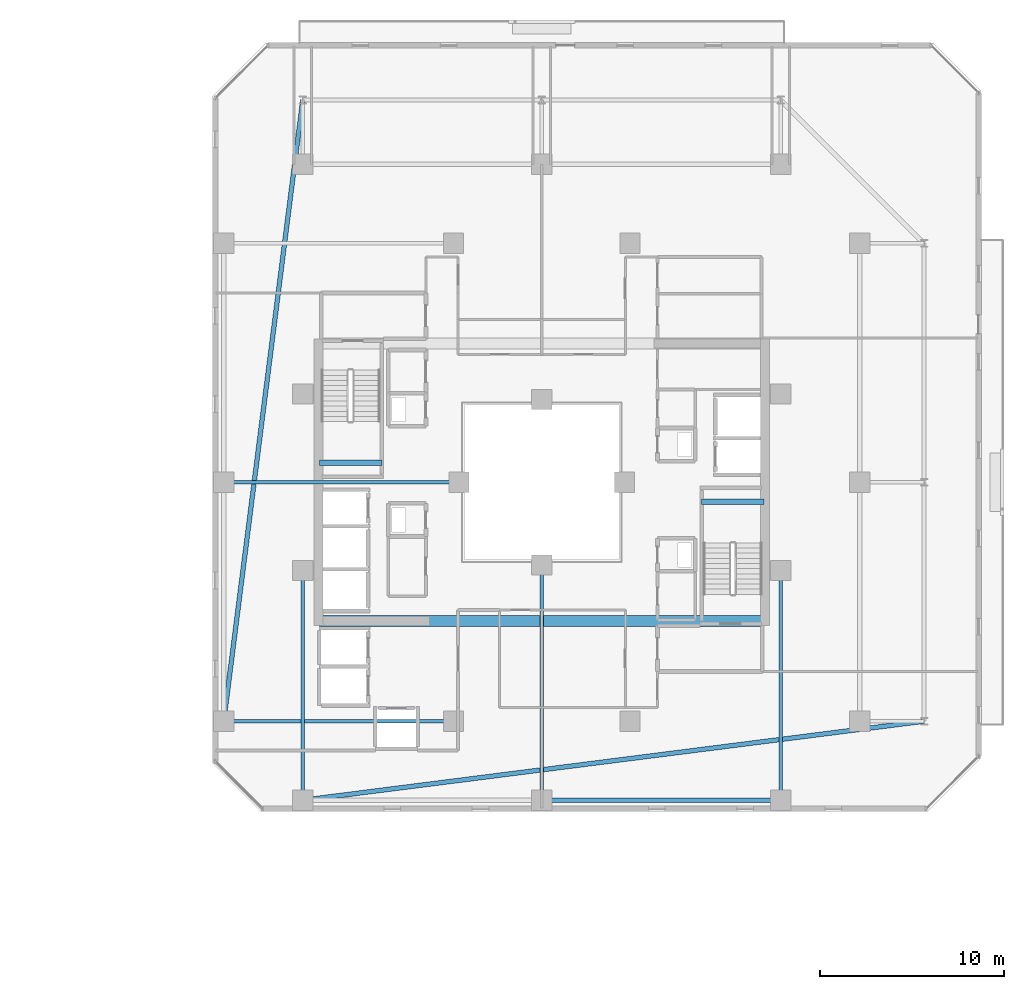
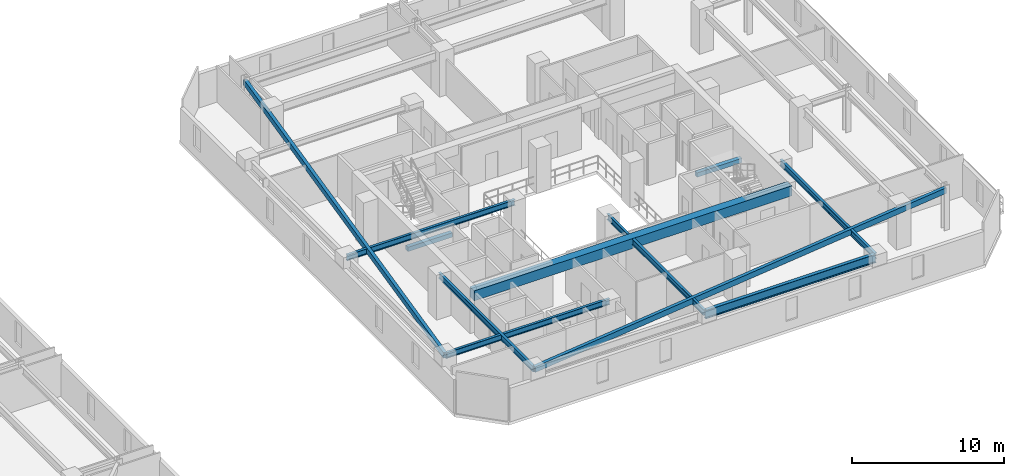
# One storey, part 13 of 33: 11 beams.
"""IFC4 building model written with IfcOpenShell, lengths in metres."""

from ifc_helpers import new_model, si_unit, direction, frame, origin, origin_2d, place, context, subcontext, project, spatial, rectangle, hollow_rectangle, i_section, extrude, material, material_profile, profile_set, type_object, element, save


model = new_model("IFC4")

# Units and contexts
model_context = context("Model", 3, precision=1e-05, world=origin(), true_north=direction((0.0, 1.0)))
body_context = subcontext(model_context, "Body", "Model", "MODEL_VIEW")
ifc_project = project(units=[si_unit("LENGTHUNIT", "METRE"), si_unit("AREAUNIT", "SQUARE_METRE"), si_unit("VOLUMEUNIT", "CUBIC_METRE"), si_unit("PLANEANGLEUNIT", "RADIAN"), si_unit("MASSUNIT", "GRAM", prefix="KILO")], contexts=[model_context])

# Site, building, storey
site_placement = place(None, origin())
site = spatial("IfcSite", under=ifc_project, at=site_placement, CompositionType="ELEMENT")
building_placement = place(site_placement, origin())
building = spatial("IfcBuilding", under=site, at=building_placement, Name="Thornwick Lancets Civic Towers", CompositionType="ELEMENT")
storey_placement = place(building_placement, frame((0.0, 0.0, 167.10009765625)))
storey = spatial("IfcBuildingStorey", under=building, at=storey_placement, Name="L44", CompositionType="ELEMENT", Elevation=167.10009765625)

# Beams
ifc_material_1 = material(Name="Concrete C60/75", Category="concrete")
ifc_material_profile_1 = material_profile(ifc_material_1, rectangle(XDim=0.60009765625, YDim=0.800048828125, at=origin_2d()), Name="RC 600x800")
ifc_profile_set_1 = profile_set([ifc_material_profile_1], Name="Concrete C60/75")
beam_type_1 = type_object("IfcBeamType", Name="BM_COUP_RC800", PredefinedType="BEAM", material=ifc_profile_set_1)
beam_1_placement = place(storey_placement, frame((76.39990234375, 19.449951171875, 2.9599609375), z_axis=(1.0, 0.0, 0.0), x_axis=(0.0, 1.0, 0.0)))
element("IfcBeam", 1, at=beam_1_placement, inside=storey, type_object=beam_type_1, Name="CB-L44-B2", PredefinedType="BEAM", context=body_context, shape_type="SweptSolid", body=[
    extrude(rectangle(XDim=0.60009765625, YDim=0.800048828125, at=origin_2d()), origin(), (0.0, 0.0, 1.0), 24.2001953125),
])
ifc_material_2 = material(Name="Steel S355JR", Category="steel")
ifc_material_profile_2 = material_profile(ifc_material_2, i_section(OverallWidth=0.255859375, OverallDepth=0.69287109375, WebThickness=0.014404296875, FlangeThickness=0.023681640625, FilletRadius=0.01513671875, at=origin_2d()), Name="UKB 686x254x170")
ifc_profile_set_2 = profile_set([ifc_material_profile_2], Name="Steel S355JR")
beam_type_2 = type_object("IfcBeamType", Name="BM_GIRD_686_170", PredefinedType="BEAM", material=ifc_profile_set_2)
beam_2_placement = place(storey_placement, frame((101.5, 9.699951171875, 3.013427734375), z_axis=(-1.0, 0.0, 0.0), x_axis=(0.0, -1.0, 0.0)))
element("IfcBeam", 2, at=beam_2_placement, inside=storey, type_object=beam_type_2, Name="BM-SPINE-L44-B-9-10", PredefinedType="BEAM", context=body_context, shape_type="SweptSolid", body=[
    extrude(i_section(OverallWidth=0.255859375, OverallDepth=0.69287109375, WebThickness=0.014404296875, FlangeThickness=0.023681640625, FilletRadius=0.01513671875, at=origin_2d()), origin(), (0.0, 0.0, 1.0), 13.0),
])
ifc_material_profile_3 = material_profile(ifc_material_2, i_section(OverallWidth=0.19189453125, OverallDepth=0.46337890625, WebThickness=0.010498046875, FlangeThickness=0.017578125, FilletRadius=0.01025390625, at=origin_2d()), Name="UKB 457x191x89")
ifc_profile_set_3 = profile_set([ifc_material_profile_3], Name="Steel S355JR")
beam_type_3 = type_object("IfcBeamType", Name="BM_JOIST_457_89", PredefinedType="JOIST", material=ifc_profile_set_3)
beam_3_placement = place(storey_placement, frame((83.699951171875, 14.0, 3.128173828125), z_axis=(-1.0, 0.0, 0.0), x_axis=(0.0, -1.0, 0.0)))
element("IfcBeam", 3, at=beam_3_placement, inside=storey, type_object=beam_type_3, Name="BM-RADIN-L44-B07", PredefinedType="JOIST", context=body_context, shape_type="SweptSolid", body=[
    extrude(i_section(OverallWidth=0.19189453125, OverallDepth=0.46337890625, WebThickness=0.010498046875, FlangeThickness=0.017578125, FilletRadius=0.01025390625, at=origin_2d()), origin(), (0.0, 0.0, 1.0), 12.5),
])
beam_4_placement = place(storey_placement, frame((84.0, 27.0, 3.128173828125), z_axis=(-1.0, 0.0, 0.0), x_axis=(0.0, -1.0, 0.0)))
element("IfcBeam", 4, at=beam_4_placement, inside=storey, type_object=beam_type_3, Name="BM-RADIN-L44-B08", PredefinedType="JOIST", context=body_context, shape_type="SweptSolid", body=[
    extrude(i_section(OverallWidth=0.19189453125, OverallDepth=0.46337890625, WebThickness=0.010498046875, FlangeThickness=0.017578125, FilletRadius=0.01025390625, at=origin_2d()), origin(), (0.0, 0.0, 1.0), 12.800048828125),
])
beam_5_placement = place(storey_placement, frame((101.5, 22.199951171875, 3.128173828125), z_axis=(0.0, -1.0, 0.0), x_axis=(1.0, 0.0, 0.0)))
element("IfcBeam", 5, at=beam_5_placement, inside=storey, type_object=beam_type_3, Name="BM-RADIN-L44-B10", PredefinedType="JOIST", context=body_context, shape_type="SweptSolid", body=[
    extrude(i_section(OverallWidth=0.19189453125, OverallDepth=0.46337890625, WebThickness=0.010498046875, FlangeThickness=0.017578125, FilletRadius=0.01025390625, at=origin_2d()), origin(), (0.0, 0.0, 1.0), 12.5),
])
beam_6_placement = place(storey_placement, frame((88.5, 22.5, 3.128173828125), z_axis=(0.0, -1.0, 0.0), x_axis=(1.0, 0.0, 0.0)))
element("IfcBeam", 6, at=beam_6_placement, inside=storey, type_object=beam_type_3, Name="BM-RADIN-L44-B11", PredefinedType="JOIST", context=body_context, shape_type="SweptSolid", body=[
    extrude(i_section(OverallWidth=0.19189453125, OverallDepth=0.46337890625, WebThickness=0.010498046875, FlangeThickness=0.017578125, FilletRadius=0.01025390625, at=origin_2d()), origin(), (0.0, 0.0, 1.0), 12.800048828125),
])
beam_7_placement = place(storey_placement, frame((75.5, 22.199951171875, 3.128173828125), z_axis=(0.0, -1.0, 0.0), x_axis=(1.0, 0.0, 0.0)))
element("IfcBeam", 7, at=beam_7_placement, inside=storey, type_object=beam_type_3, Name="BM-RADIN-L44-B12", PredefinedType="JOIST", context=body_context, shape_type="SweptSolid", body=[
    extrude(i_section(OverallWidth=0.19189453125, OverallDepth=0.46337890625, WebThickness=0.010498046875, FlangeThickness=0.017578125, FilletRadius=0.01025390625, at=origin_2d()), origin(), (0.0, 0.0, 1.0), 12.5),
])
ifc_material_profile_4 = material_profile(ifc_material_2, hollow_rectangle(XDim=0.25, YDim=0.449951171875, WallThickness=0.01611328125, at=origin_2d()), Name="RHS 450x250x16")
ifc_profile_set_4 = profile_set([ifc_material_profile_4], Name="Steel S355JR")
beam_type_4 = type_object("IfcBeamType", Name="BM_RING_RHS450", PredefinedType="BEAM", material=ifc_profile_set_4)
for number, where, z_axis, x_axis, name in (
    (8, (75.5, 47.800048828125, 3.135009765625), (-0.126202998662, -0.992004437051, 0.0), (0.992004437051, -0.126202998662, 0.0), "BM-CHAMF-L44-B-C1"),
    (9, (75.5, 9.699951171875, 3.135009765625), (0.992004437051, 0.126202998662, 0.0), (-0.126202998662, 0.992004437051, 0.0), "BM-CHAMF-L44-B-C3"),
):
    element("IfcBeam", number, at=place(storey_placement, frame(where, z_axis=z_axis, x_axis=x_axis)), inside=storey, type_object=beam_type_4, Name=name, PredefinedType="BEAM", context=body_context, shape_type="SweptSolid", body=[
        extrude(hollow_rectangle(XDim=0.25, YDim=0.449951171875, WallThickness=0.01611328125, at=origin_2d()), origin(), (0.0, 0.0, 1.0), 34.072509765625),
    ])
ifc_material_3 = material(Name="Concrete C40/50", Category="concrete")
ifc_material_profile_5 = material_profile(ifc_material_3, rectangle(XDim=0.300048828125, YDim=0.35009765625, at=origin_2d()), Name="RC 300x350")
ifc_profile_set_5 = profile_set([ifc_material_profile_5], Name="Concrete C40/50")
beam_type_5 = type_object("IfcBeamType", Name="BM_STAIR_LDG", PredefinedType="BEAM", material=ifc_profile_set_5)
for number, where, z_axis, x_axis, name in (
    (10, (100.60009765625, 25.93505859375, 1.3779296875), (-1.0, 0.0, 0.0), (0.0, -1.0, 0.0), "L44 ST-B1 Landing Support Beam 1"),
    (11, (76.39990234375, 28.06494140625, 1.3779296875), (1.0, 0.0, 0.0), (0.0, 1.0, 0.0), "L44 ST-B2 Landing Support Beam 1"),
):
    element("IfcBeam", number, at=place(storey_placement, frame(where, z_axis=z_axis, x_axis=x_axis)), inside=storey, type_object=beam_type_5, Name=name, PredefinedType="BEAM", context=body_context, shape_type="SweptSolid", body=[
        extrude(rectangle(XDim=0.300048828125, YDim=0.35009765625, at=origin_2d()), origin(), (0.0, 0.0, 1.0), 3.400146484375),
    ])

save(model, "model.ifc")
